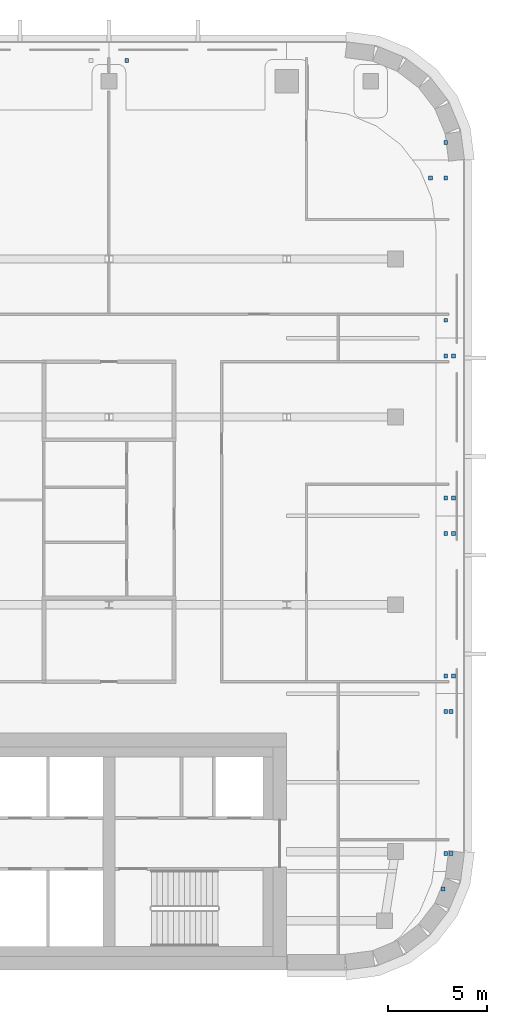
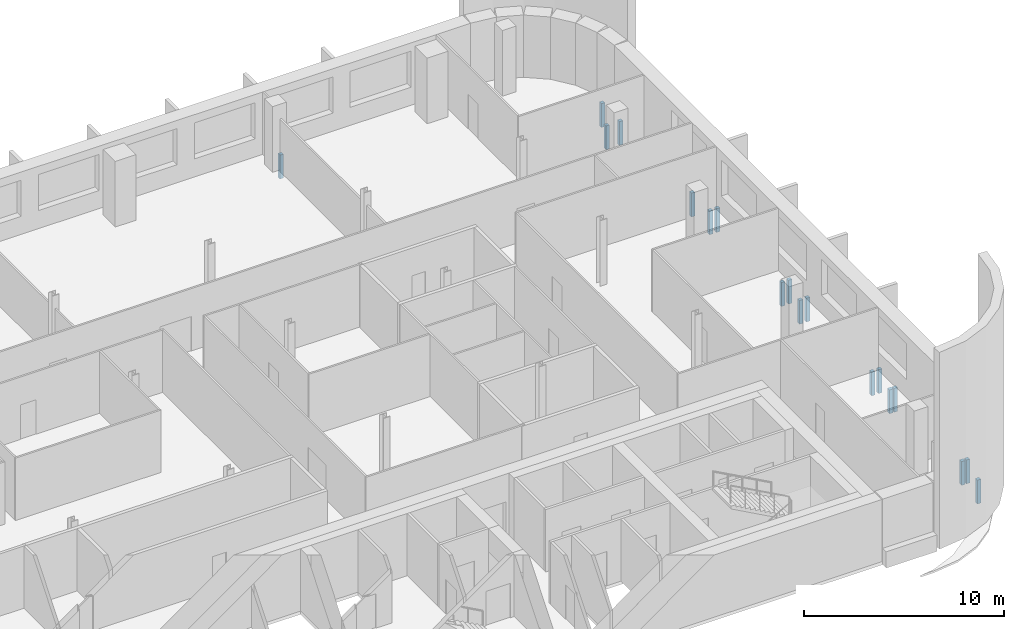
# One storey, part 14 of 19: 18 discrete accessories.
"""IFC4 building model written with IfcOpenShell, lengths in metres."""

from ifc_helpers import new_model, si_unit, direction, frame, origin, origin_2d, place, context, subcontext, project, spatial, rectangle, extrude, material, type_object, element, save


model = new_model("IFC4")

# Units and contexts
model_context = context("Model", 3, precision=1e-05, world=origin(), true_north=direction((0.0, 1.0)))
body_context = subcontext(model_context, "Body", "Model", "MODEL_VIEW")
ifc_project = project(units=[si_unit("LENGTHUNIT", "METRE"), si_unit("AREAUNIT", "SQUARE_METRE"), si_unit("VOLUMEUNIT", "CUBIC_METRE"), si_unit("PLANEANGLEUNIT", "RADIAN"), si_unit("MASSUNIT", "GRAM", prefix="KILO")], contexts=[model_context])

# Site, building, storey
site_placement = place(None, origin())
site = spatial("IfcSite", under=ifc_project, at=site_placement, CompositionType="ELEMENT")
building_placement = place(site_placement, origin())
building = spatial("IfcBuilding", under=site, at=building_placement, Name="Zellij Exchange Tower", CompositionType="ELEMENT")
storey_placement = place(building_placement, frame((0.0, 0.0, 220.5)))
storey = spatial("IfcBuildingStorey", under=building, at=storey_placement, Name="L51", CompositionType="ELEMENT", Elevation=220.5)

# Discrete accessories
ifc_material = material(Name="Stainless steel", Category="steel")
discrete_accessory_type = type_object("IfcDiscreteAccessoryType", Name="ENV-BR1 Stone panel bracket 200", PredefinedType="USERDEFINED", material=ifc_material)
for number, where, z_axis, x_axis, name in (
    (1, (18.89990234375, 32.050048828125, -1.64990234375), (0.0, 0.0, 1.0), (1.0, 0.0, 0.0), "Panel bracket"),
    (2, (34.91796875, -9.89990234375, -1.64990234375), (0.0, 0.0, 1.0), (1.0, 0.0, 0.0), "Panel bracket"),
    (3, (35.31884765625, -8.10009765625, -1.64990234375), (0.0, 0.0, 1.0), (1.0, 0.0, 0.0), "Panel bracket"),
    (4, (35.050048828125, -8.10009765625, -1.64990234375), (0.0, 0.0, 1.0), (1.0, 0.0, 0.0), "Panel bracket"),
    (5, (35.31884765625, -0.89990234375, -1.64990234375), (0.0, 0.0, 1.0), (1.0, 0.0, 0.0), "Panel bracket"),
    (6, (35.050048828125, -0.89990234375, -1.64990234375), (0.0, 0.0, 1.0), (1.0, 0.0, 0.0), "Panel bracket"),
    (7, (35.449951171875, 0.89990234375, -1.64990234375), (0.0, 0.0, 1.0), (1.0, 0.0, 0.0), "Panel bracket"),
    (8, (35.050048828125, 0.89990234375, -1.64990234375), (0.0, 0.0, 1.0), (1.0, 0.0, 0.0), "Panel bracket"),
    (9, (35.449951171875, 8.10009765625, -1.64990234375), (0.0, 0.0, 1.0), (1.0, 0.0, 0.0), "Panel bracket"),
    (10, (35.050048828125, 8.10009765625, -1.64990234375), (0.0, 0.0, 1.0), (1.0, 0.0, 0.0), "Panel bracket"),
    (11, (35.449951171875, 9.89990234375, -1.64990234375), (0.0, 0.0, 1.0), (1.0, 0.0, 0.0), "Panel bracket"),
    (12, (35.050048828125, 9.89990234375, -1.64990234375), (0.0, 0.0, 1.0), (1.0, 0.0, 0.0), "Panel bracket"),
    (13, (35.449951171875, 17.10009765625, -1.64990234375), (0.0, 0.0, 1.0), (1.0, 0.0, 0.0), "Panel bracket"),
    (14, (35.050048828125, 17.10009765625, -1.64990234375), (0.0, 0.0, 1.0), (1.0, 0.0, 0.0), "Panel bracket"),
    (15, (35.050048828125, 18.89990234375, -1.64990234375), (0.0, 0.0, 1.0), (1.0, 0.0, 0.0), "Panel bracket"),
    (16, (34.275390625, 26.10009765625, -1.64990234375), (0.0, 0.0, 1.0), (1.0, 0.0, 0.0), "Panel bracket"),
    (17, (35.050048828125, 26.10009765625, -1.64990234375), (0.0, 0.0, 1.0), (1.0, 0.0, 0.0), "Panel bracket"),
    (18, (35.049560546875, 27.89990234375, -1.64990234375), (0.0, 0.0, 1.0), (1.0, 0.0, 0.0), "Panel bracket"),
):
    element("IfcDiscreteAccessory", number, at=place(storey_placement, frame(where, z_axis=z_axis, x_axis=x_axis)), inside=storey, type_object=discrete_accessory_type, Name=name, ObjectType="BRACKET", PredefinedType="USERDEFINED", context=body_context, shape_type="SweptSolid", body=[
        extrude(rectangle(XDim=0.199951171875, YDim=0.199951171875, at=origin_2d()), origin(), (0.0, 0.0, 1.0), 1.449951171875),
    ])

save(model, "model.ifc")
